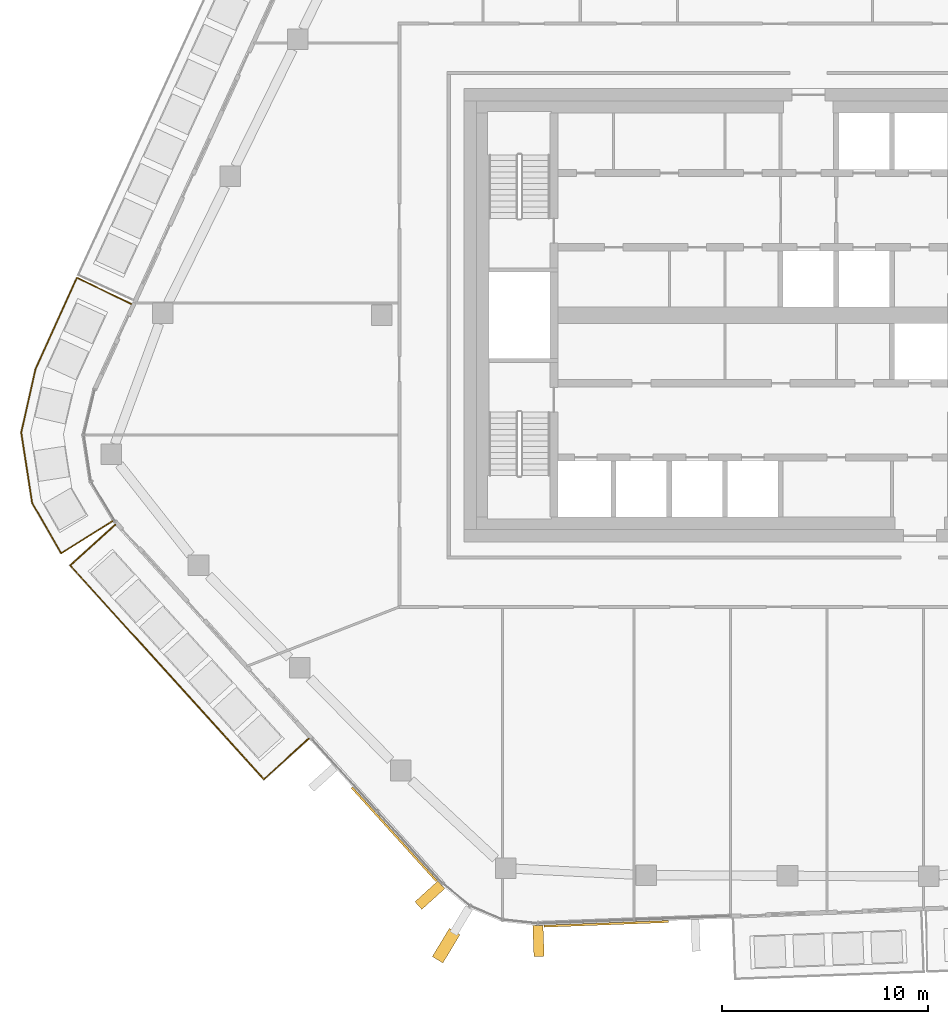
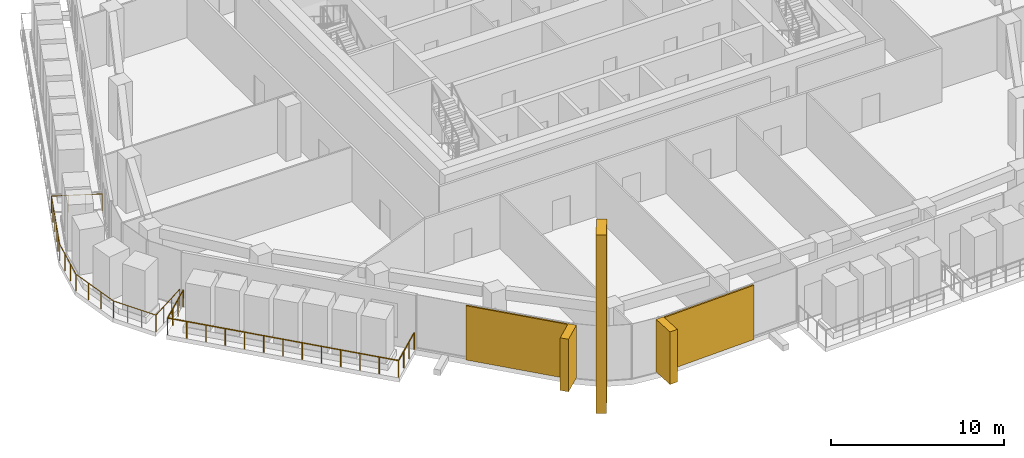
# One storey, part 18 of 24: 5 coverings, 2 railings, 3 elements without a shape of their own.
"""IFC4 building model written with IfcOpenShell, lengths in metres."""

from ifc_helpers import new_model, si_unit, direction, frame, origin, origin_2d, place, context, subcontext, project, spatial, rectangle, circle, extrude, material, layer, layer_set, material_profile, profile_set, type_object, element, aggregate, save


model = new_model("IFC4")

# Units and contexts
model_context = context("Model", 3, precision=1e-05, world=origin(), true_north=direction((0.0, 1.0)))
body_context = subcontext(model_context, "Body", "Model", "MODEL_VIEW")
ifc_project = project(units=[si_unit("LENGTHUNIT", "METRE"), si_unit("AREAUNIT", "SQUARE_METRE"), si_unit("VOLUMEUNIT", "CUBIC_METRE"), si_unit("PLANEANGLEUNIT", "RADIAN"), si_unit("MASSUNIT", "GRAM", prefix="KILO")], contexts=[model_context])

# Site, building, storey
site_placement = place(None, origin())
site = spatial("IfcSite", under=ifc_project, at=site_placement, CompositionType="ELEMENT")
building_placement = place(site_placement, origin())
building = spatial("IfcBuilding", under=site, at=building_placement, Name="Dongbaek Canopy Tower", CompositionType="ELEMENT")
storey_placement = place(building_placement, frame((0.0, 0.0, 306.800048828125)))
storey = spatial("IfcBuildingStorey", under=building, at=storey_placement, Name="L65", CompositionType="ELEMENT", Elevation=306.800048828125)

# Railings
ifc_material_1 = material(Name="Stainless steel", Category="steel")
railing_type = type_object("IfcRailingType", Name="Balcony balustrade 1200", PredefinedType="BALUSTRADE", material=ifc_material_1)
railing_1_placement = place(storey_placement, frame((-30.14013671875, 0.542236328125, 0.0)))
element("IfcRailing", 1, at=railing_1_placement, inside=storey, type_object=railing_type, Name="Balcony guard L65 6", PredefinedType="BALUSTRADE", context=body_context, shape_type="SweptSolid", body=[
    extrude(circle(Radius=0.02392578125, at=origin_2d()), frame((0.0, 0.0, 1.17578125), z_axis=(-0.900809276441, 0.434214978413, 0.0), x_axis=(-0.434214978413, -0.900809276441, 0.0)), (0.0, 0.0, 1.0), 2.940673828125),
    extrude(circle(Radius=0.02392578125, at=origin_2d()), frame((-2.64892578125, 1.27685546875, 1.17578125), z_axis=(-0.413113515831, -0.910679539156, 0.0), x_axis=(0.910679539156, -0.413113515831, 0.0)), (0.0, 0.0, 1.0), 4.856689453125),
    extrude(circle(Radius=0.02392578125, at=origin_2d()), frame((-4.6552734375, -3.14599609375, 1.17578125), z_axis=(-0.219794695374, -0.975546150567, 0.0), x_axis=(0.975546150567, -0.219794695374, 0.0)), (0.0, 0.0, 1.0), 3.166748046875),
    extrude(circle(Radius=0.02392578125, at=origin_2d()), frame((-5.351318359375, -6.2353515625, 1.17578125), z_axis=(0.152977389542, -0.988229689034, 0.0), x_axis=(0.988229689034, 0.152977389542, 0.0)), (0.0, 0.0, 1.0), 3.44873046875),
    extrude(circle(Radius=0.02392578125, at=origin_2d()), frame((-4.82373046875, -9.6435546875, 1.17578125), z_axis=(0.498856538672, -0.866684575739, 0.0), x_axis=(0.866684575739, 0.498856538672, 0.0)), (0.0, 0.0, 1.0), 2.832275390625),
    extrude(circle(Radius=0.02392578125, at=origin_2d()), frame((-3.410888671875, -12.09814453125, 1.17578125), z_axis=(0.846103874328, 0.533018042703, 0.0), x_axis=(-0.533018042703, 0.846103874328, 0.0)), (0.0, 0.0, 1.0), 2.940673828125),
    extrude(circle(Radius=0.02099609375, at=origin_2d()), origin(), (0.0, 0.0, 1.0), 1.15185546875),
    extrude(circle(Radius=0.02099609375, at=origin_2d()), frame((-0.883056640625, 0.425537109375, 0.0)), (0.0, 0.0, 1.0), 1.15185546875),
    extrude(circle(Radius=0.02099609375, at=origin_2d()), frame((-1.765869140625, 0.851318359375, 0.0)), (0.0, 0.0, 1.0), 1.15185546875),
    extrude(circle(Radius=0.02099609375, at=origin_2d()), frame((-2.64892578125, 1.27685546875, 0.0)), (0.0, 0.0, 1.0), 1.15185546875),
    extrude(circle(Radius=0.02099609375, at=origin_2d()), frame((-3.05029296875, 0.392333984375, 0.0)), (0.0, 0.0, 1.0), 1.15185546875),
    extrude(circle(Radius=0.02099609375, at=origin_2d()), frame((-3.451416015625, -0.4921875, 0.0)), (0.0, 0.0, 1.0), 1.15185546875),
    extrude(circle(Radius=0.02099609375, at=origin_2d()), frame((-3.852783203125, -1.376953125, 0.0)), (0.0, 0.0, 1.0), 1.15185546875),
    extrude(circle(Radius=0.02099609375, at=origin_2d()), frame((-4.25390625, -2.261474609375, 0.0)), (0.0, 0.0, 1.0), 1.15185546875),
    extrude(circle(Radius=0.02099609375, at=origin_2d()), frame((-4.6552734375, -3.14599609375, 0.0)), (0.0, 0.0, 1.0), 1.15185546875),
    extrude(circle(Radius=0.02099609375, at=origin_2d()), frame((-4.88720703125, -4.17578125, 0.0)), (0.0, 0.0, 1.0), 1.15185546875),
    extrude(circle(Radius=0.02099609375, at=origin_2d()), frame((-5.119384765625, -5.20556640625, 0.0)), (0.0, 0.0, 1.0), 1.15185546875),
    extrude(circle(Radius=0.02099609375, at=origin_2d()), frame((-5.351318359375, -6.2353515625, 0.0)), (0.0, 0.0, 1.0), 1.15185546875),
    extrude(circle(Radius=0.02099609375, at=origin_2d()), frame((-5.175537109375, -7.371337890625, 0.0)), (0.0, 0.0, 1.0), 1.15185546875),
    extrude(circle(Radius=0.02099609375, at=origin_2d()), frame((-4.99951171875, -8.507568359375, 0.0)), (0.0, 0.0, 1.0), 1.15185546875),
    extrude(circle(Radius=0.02099609375, at=origin_2d()), frame((-4.82373046875, -9.6435546875, 0.0)), (0.0, 0.0, 1.0), 1.15185546875),
    extrude(circle(Radius=0.02099609375, at=origin_2d()), frame((-4.352783203125, -10.461669921875, 0.0)), (0.0, 0.0, 1.0), 1.15185546875),
    extrude(circle(Radius=0.02099609375, at=origin_2d()), frame((-3.8818359375, -11.280029296875, 0.0)), (0.0, 0.0, 1.0), 1.15185546875),
    extrude(circle(Radius=0.02099609375, at=origin_2d()), frame((-3.410888671875, -12.09814453125, 0.0)), (0.0, 0.0, 1.0), 1.15185546875),
    extrude(circle(Radius=0.02099609375, at=origin_2d()), frame((-2.58154296875, -11.57568359375, 0.0)), (0.0, 0.0, 1.0), 1.15185546875),
    extrude(circle(Radius=0.02099609375, at=origin_2d()), frame((-1.752197265625, -11.05322265625, 0.0)), (0.0, 0.0, 1.0), 1.15185546875),
    extrude(circle(Radius=0.02099609375, at=origin_2d()), frame((-0.9228515625, -10.53076171875, 0.0)), (0.0, 0.0, 1.0), 1.15185546875),
])
railing_2_placement = place(storey_placement, frame((-30.932373046875, -10.164306640625, 0.0)))
element("IfcRailing", 2, at=railing_2_placement, inside=storey, type_object=railing_type, Name="Balcony guard L65 3", PredefinedType="BALUSTRADE", context=body_context, shape_type="SweptSolid", body=[
    extrude(circle(Radius=0.02392578125, at=origin_2d()), frame((0.0, 0.0, 1.17578125), z_axis=(-0.741279984861, -0.671195935659, 0.0), x_axis=(0.671195935659, -0.741279984861, 0.0)), (0.0, 0.0, 1.0), 2.940185546875),
    extrude(circle(Radius=0.02392578125, at=origin_2d()), frame((-2.179443359375, -1.973388671875, 1.17578125), z_axis=(0.671228063457, -0.741250893307, 0.0), x_axis=(0.741250893307, 0.671228063457, 0.0)), (0.0, 0.0, 1.0), 13.99169921875),
    extrude(circle(Radius=0.02392578125, at=origin_2d()), frame((7.212158203125, -12.3447265625, 1.17578125), z_axis=(0.741279984861, 0.671195935659, 0.0), x_axis=(-0.671195935659, 0.741279984861, 0.0)), (0.0, 0.0, 1.0), 2.940185546875),
    extrude(circle(Radius=0.02099609375, at=origin_2d()), origin(), (0.0, 0.0, 1.0), 1.15185546875),
    extrude(circle(Radius=0.02099609375, at=origin_2d()), frame((-0.7265625, -0.65771484375, 0.0)), (0.0, 0.0, 1.0), 1.15185546875),
    extrude(circle(Radius=0.02099609375, at=origin_2d()), frame((-1.452880859375, -1.315673828125, 0.0)), (0.0, 0.0, 1.0), 1.15185546875),
    extrude(circle(Radius=0.02099609375, at=origin_2d()), frame((-2.179443359375, -1.973388671875, 0.0)), (0.0, 0.0, 1.0), 1.15185546875),
    extrude(circle(Radius=0.02099609375, at=origin_2d()), frame((-1.396728515625, -2.837646484375, 0.0)), (0.0, 0.0, 1.0), 1.15185546875),
    extrude(circle(Radius=0.02099609375, at=origin_2d()), frame((-0.6142578125, -3.701904296875, 0.0)), (0.0, 0.0, 1.0), 1.15185546875),
    extrude(circle(Radius=0.02099609375, at=origin_2d()), frame((0.16845703125, -4.566162109375, 0.0)), (0.0, 0.0, 1.0), 1.15185546875),
    extrude(circle(Radius=0.02099609375, at=origin_2d()), frame((0.951171875, -5.430419921875, 0.0)), (0.0, 0.0, 1.0), 1.15185546875),
    extrude(circle(Radius=0.02099609375, at=origin_2d()), frame((1.733642578125, -6.294677734375, 0.0)), (0.0, 0.0, 1.0), 1.15185546875),
    extrude(circle(Radius=0.02099609375, at=origin_2d()), frame((2.516357421875, -7.1591796875, 0.0)), (0.0, 0.0, 1.0), 1.15185546875),
    extrude(circle(Radius=0.02099609375, at=origin_2d()), frame((3.299072265625, -8.0234375, 0.0)), (0.0, 0.0, 1.0), 1.15185546875),
    extrude(circle(Radius=0.02099609375, at=origin_2d()), frame((4.08154296875, -8.8876953125, 0.0)), (0.0, 0.0, 1.0), 1.15185546875),
    extrude(circle(Radius=0.02099609375, at=origin_2d()), frame((4.8642578125, -9.751953125, 0.0)), (0.0, 0.0, 1.0), 1.15185546875),
    extrude(circle(Radius=0.02099609375, at=origin_2d()), frame((5.64697265625, -10.6162109375, 0.0)), (0.0, 0.0, 1.0), 1.15185546875),
    extrude(circle(Radius=0.02099609375, at=origin_2d()), frame((6.429443359375, -11.48046875, 0.0)), (0.0, 0.0, 1.0), 1.15185546875),
    extrude(circle(Radius=0.02099609375, at=origin_2d()), frame((7.212158203125, -12.3447265625, 0.0)), (0.0, 0.0, 1.0), 1.15185546875),
    extrude(circle(Radius=0.02099609375, at=origin_2d()), frame((7.938720703125, -11.68701171875, 0.0)), (0.0, 0.0, 1.0), 1.15185546875),
    extrude(circle(Radius=0.02099609375, at=origin_2d()), frame((8.6650390625, -11.029052734375, 0.0)), (0.0, 0.0, 1.0), 1.15185546875),
    extrude(circle(Radius=0.02099609375, at=origin_2d()), frame((9.3916015625, -10.371337890625, 0.0)), (0.0, 0.0, 1.0), 1.15185546875),
])

# Curtain wall, covering
ifc_material_2 = material(Name="Aluminium 6063-T6 pale anodised", Category="aluminium")
ifc_layer_1 = layer(ifc_material_2, 0.199951171875)
ifc_layer_set_1 = layer_set([ifc_layer_1], Name="CW-1 unitised tower curtain wall")
curtain_wall_type = type_object("IfcCurtainWallType", Name="CW-1 unitised tower curtain wall", PredefinedType="NOTDEFINED", material=ifc_layer_set_1)
curtain_wall_1_placement = place(storey_placement, origin())
curtain_wall_1 = element("IfcCurtainWall", 3, at=curtain_wall_1_placement, inside=storey, type_object=curtain_wall_type, Name="CW-1 curtain wall K4.1", PredefinedType="NOTDEFINED")
ifc_material_3 = material(Name="Aluminium 6063-T6 pale metal fin", Category="aluminium")
ifc_material_profile_1 = material_profile(ifc_material_3, rectangle(XDim=1.60009765625, YDim=0.60009765625, at=origin_2d()), Name="Corner fin CN1 600 x 1600 pale metal")
ifc_profile_set_1 = profile_set([ifc_material_profile_1], Name="Aluminium 6063-T6 pale metal fin")
covering_type_1 = type_object("IfcCoveringType", Name="Corner fin CN1 600 x 1600 pale metal", PredefinedType="CLADDING", material=ifc_profile_set_1)
covering_1_placement = place(storey_placement, frame((-14.87841796875, -30.586181640625, -0.18994140625), z_axis=(0.0, 0.0, 1.0), x_axis=(-0.517605951027, -0.855619120556, 0.0)))
covering_1 = element("IfcCovering", 4, at=covering_1_placement, type_object=covering_type_1, Name="Corner fin L65 L67 K4", PredefinedType="CLADDING", context=body_context, shape_type="SweptSolid", body=[
    extrude(rectangle(XDim=1.60009765625, YDim=0.60009765625, at=origin_2d()), origin(), (0.0, 0.0, 1.0), 12.579833984375),
])
aggregate(curtain_wall_1, [covering_1])

curtain_wall_2_placement = place(storey_placement, origin())
curtain_wall_2 = element("IfcCurtainWall", 5, at=curtain_wall_2_placement, inside=storey, type_object=curtain_wall_type, Name="CW-1 curtain wall F3.1", PredefinedType="NOTDEFINED")
ifc_material_4 = material(Name="Perforated aluminium 6063-T6 pale metal screen", Category="aluminium")
ifc_layer_2 = layer(ifc_material_4, 0.10009765625)
ifc_layer_set_2 = layer_set([ifc_layer_2], Name="Facet screen FS1 100 pale metal")
covering_type_2 = type_object("IfcCoveringType", Name="Facet screen FS1 100 pale metal", PredefinedType="CLADDING", material=ifc_layer_set_2)
covering_2_placement = place(storey_placement, frame((-17.397216796875, -25.179931640625, 0.0), z_axis=(0.0, 0.0, 1.0), x_axis=(0.671223946494, -0.741254621337, 0.0)))
covering_2 = element("IfcCovering", 6, at=covering_2_placement, type_object=covering_type_2, Name="Facet screen L65 F3", PredefinedType="CLADDING", context=body_context, shape_type="SweptSolid", body=[
    extrude(rectangle(XDim=6.126708984375, YDim=0.10009765625, at=origin_2d()), origin(), (0.0, 0.0, 1.0), 3.820068359375),
])

curtain_wall_3_placement = place(storey_placement, origin())
curtain_wall_3 = element("IfcCurtainWall", 7, at=curtain_wall_3_placement, inside=storey, type_object=curtain_wall_type, Name="CW-1 curtain wall F4.1", PredefinedType="NOTDEFINED")
covering_3_placement = place(storey_placement, frame((-7.11083984375, -29.529296875, 0.0), z_axis=(0.0, 0.0, 1.0), x_axis=(0.99928861722, 0.037712855819, 0.0)))
covering_3 = element("IfcCovering", 8, at=covering_3_placement, type_object=covering_type_2, Name="Facet screen L65 F4", PredefinedType="CLADDING", context=body_context, shape_type="SweptSolid", body=[
    extrude(rectangle(XDim=6.052490234375, YDim=0.10009765625, at=origin_2d()), origin(), (0.0, 0.0, 1.0), 3.820068359375),
])

# Covering
ifc_material_5 = material(Name="Aluminium 6063-T6 pale metal fin", Category="aluminium")
ifc_material_profile_2 = material_profile(ifc_material_5, rectangle(XDim=1.5, YDim=0.5, at=origin_2d()), Name="Fin FN1 500 x 1500 pale metal")
ifc_profile_set_2 = profile_set([ifc_material_profile_2], Name="Aluminium 6063-T6 pale metal fin")
covering_type_3 = type_object("IfcCoveringType", Name="Fin FN1 500 x 1500 pale metal", PredefinedType="CLADDING", material=ifc_profile_set_2)
covering_4_placement = place(storey_placement, frame((-15.66845703125, -28.13818359375, 0.119873046875), z_axis=(0.0, 0.0, 1.0), x_axis=(-0.741254096478, -0.671224526112, 0.0)))
covering_4 = element("IfcCovering", 9, at=covering_4_placement, type_object=covering_type_3, Name="Fin F3.1.3", PredefinedType="CLADDING", context=body_context, shape_type="SweptSolid", body=[
    extrude(rectangle(XDim=1.5, YDim=0.5, at=origin_2d()), origin(), (0.0, 0.0, 1.0), 3.7001953125),
])

aggregate(curtain_wall_2, [covering_4, covering_2])

covering_5_placement = place(storey_placement, frame((-10.398193359375, -30.357666015625, 0.119873046875), z_axis=(0.0, 0.0, 1.0), x_axis=(0.037712000431, -0.999288649502, 0.0)))
covering_5 = element("IfcCovering", 10, at=covering_5_placement, type_object=covering_type_3, Name="Fin F4.1.1", PredefinedType="CLADDING", context=body_context, shape_type="SweptSolid", body=[
    extrude(rectangle(XDim=1.5, YDim=0.5, at=origin_2d()), origin(), (0.0, 0.0, 1.0), 3.7001953125),
])

aggregate(curtain_wall_3, [covering_5, covering_3])

save(model, "model.ifc")
